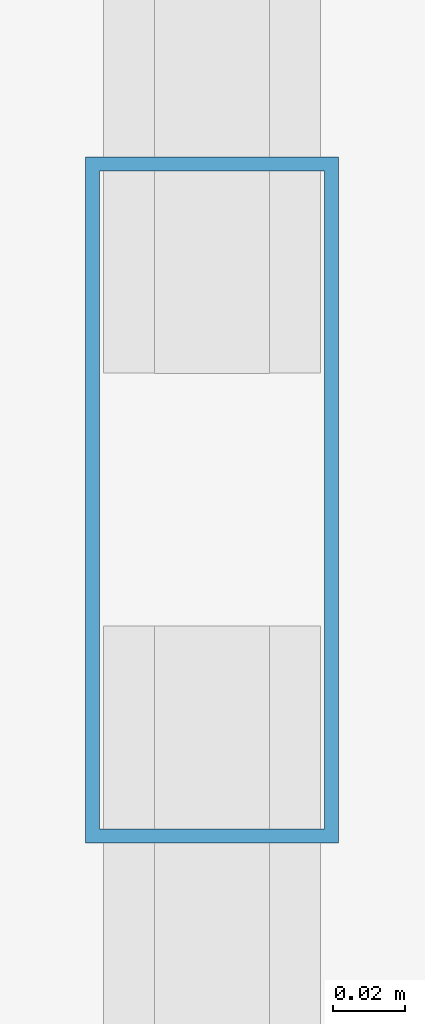
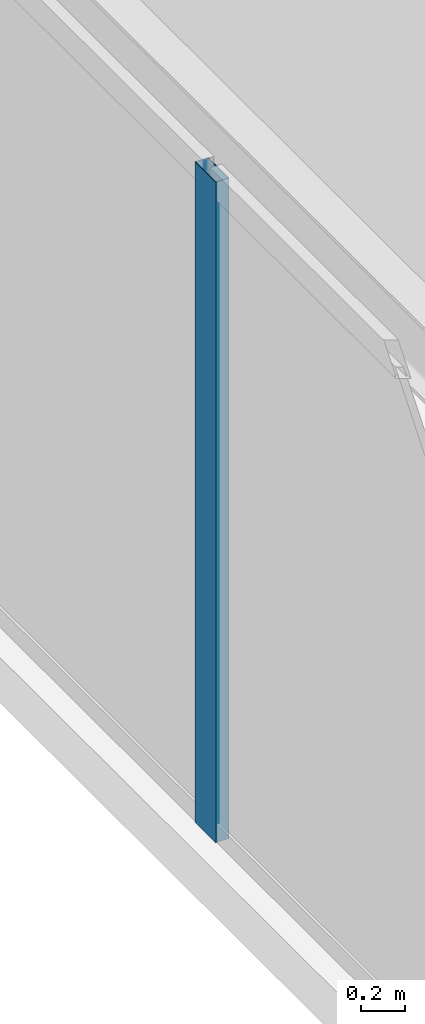
# One storey, part 10 of 31: 1 member, 1 element without a shape of its own.
"""IFC4 building model written with IfcOpenShell, lengths in metres."""

from ifc_helpers import new_model, si_unit, direction, frame, origin, origin_2d, place, context, subcontext, project, spatial, hollow_rectangle, extrude, source, transform, mapped, material, layer, layer_set, material_profile, profile_set, type_object, type_shapes, element, aggregate, save


model = new_model("IFC4")

# Units and contexts
model_context = context("Model", 3, precision=1e-05, world=origin(), true_north=direction((0.0, 1.0)))
body_context = subcontext(model_context, "Body", "Model", "MODEL_VIEW")
ifc_project = project(units=[si_unit("LENGTHUNIT", "METRE"), si_unit("AREAUNIT", "SQUARE_METRE"), si_unit("VOLUMEUNIT", "CUBIC_METRE"), si_unit("PLANEANGLEUNIT", "RADIAN"), si_unit("MASSUNIT", "GRAM", prefix="KILO")], contexts=[model_context])

# Site, building, storey
site_placement = place(None, origin())
site = spatial("IfcSite", under=ifc_project, at=site_placement, CompositionType="ELEMENT")
building_placement = place(site_placement, origin())
building = spatial("IfcBuilding", under=site, at=building_placement, Name="Varnel Quay Broadcast Tower", CompositionType="ELEMENT")
storey_placement = place(building_placement, frame((0.0, 0.0, 51.0)))
storey = spatial("IfcBuildingStorey", under=building, at=storey_placement, Name="L11", CompositionType="ELEMENT", Elevation=51.0)

# Curtain wall, member
ifc_material = material(Name="Anodised Bronze Aluminium 6063-T6", Category="aluminium")
ifc_layer = layer(ifc_material, 0.18994140625, Name="Anodised Bronze Aluminium 6063-T6")
ifc_layer_set = layer_set([ifc_layer], Name="Anodised Bronze Aluminium 6063-T6")
curtain_wall_type = type_object("IfcCurtainWallType", Name="CW_LowerTower", PredefinedType="NOTDEFINED", material=ifc_layer_set)
curtain_wall_placement = place(storey_placement, origin())
curtain_wall = element("IfcCurtainWall", 1, at=curtain_wall_placement, inside=storey, type_object=curtain_wall_type, Name="L11 West Unitised Curtain Wall", PredefinedType="NOTDEFINED")
ifc_material_profile = material_profile(ifc_material, hollow_rectangle(XDim=0.070068359375, YDim=0.18994140625, WallThickness=0.00390625, at=origin_2d()), Name="ALU70X190X4")
ifc_profile_set = profile_set([ifc_material_profile], Name="Anodised Bronze Aluminium 6063-T6")
member_type = type_object("IfcMemberType", Name="Mull_CWS-02", PredefinedType="MULLION", material=ifc_profile_set)
shared_shape = source(origin(), body_context, "Body", "SweptSolid", [
    extrude(hollow_rectangle(XDim=0.070068359375, YDim=0.18994140625, WallThickness=0.00390625, at=origin_2d()), origin(), (0.0, 0.0, 1.0), 3.64990234375),
])
type_shapes(member_type, [shared_shape])
member_placement = place(storey_placement, frame((2.14990234375, 30.39990234375, 0.0), z_axis=(0.0, 0.0, 1.0), x_axis=(-1.0, 0.0, 0.0)))
member = element("IfcMember", 2, at=member_placement, type_object=member_type, Name="CWS-02 mullion 3", PredefinedType="MULLION", context=body_context, shape_type="MappedRepresentation", body=[
    mapped(shared_shape, transform((0.0, 0.0, 0.0), x_axis=(1.0, 0.0, 0.0), y_axis=(0.0, 1.0, 0.0), z_axis=(0.0, 0.0, 1.0), scale=1.0)),
])
aggregate(curtain_wall, [member])

save(model, "model.ifc")
